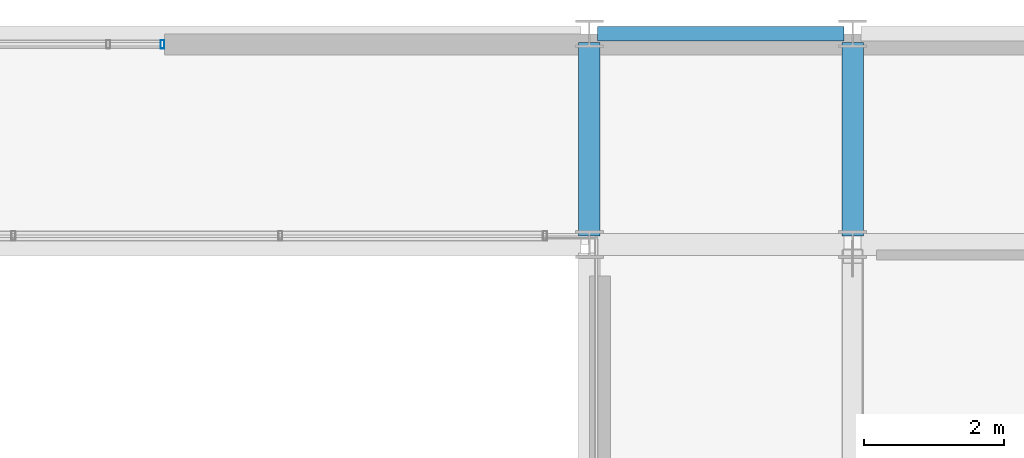
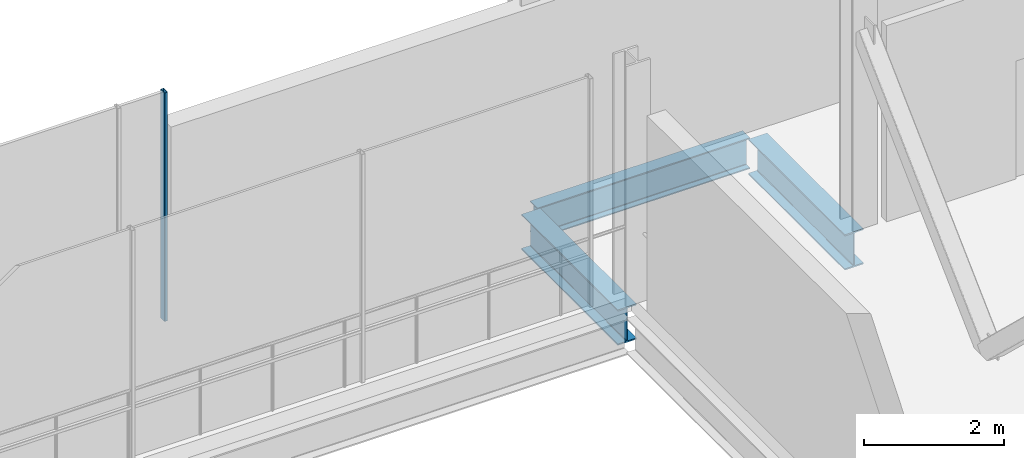
# One storey, part 20 of 33: 3 beams, 1 member, 1 element without a shape of its own.
"""IFC4 building model written with IfcOpenShell, lengths in metres."""

from ifc_helpers import new_model, si_unit, direction, frame, origin, origin_2d, place, context, subcontext, project, spatial, hollow_rectangle, i_section, extrude, material, layer, layer_set, material_profile, profile_set, type_object, element, aggregate, save


model = new_model("IFC4")

# Units and contexts
model_context = context("Model", 3, precision=1e-05, world=origin(), true_north=direction((0.0, 1.0)))
body_context = subcontext(model_context, "Body", "Model", "MODEL_VIEW")
ifc_project = project(units=[si_unit("LENGTHUNIT", "METRE"), si_unit("AREAUNIT", "SQUARE_METRE"), si_unit("VOLUMEUNIT", "CUBIC_METRE"), si_unit("PLANEANGLEUNIT", "RADIAN"), si_unit("MASSUNIT", "GRAM", prefix="KILO")], contexts=[model_context])

# Site, building, storey
site_placement = place(None, origin())
site = spatial("IfcSite", under=ifc_project, at=site_placement, CompositionType="ELEMENT")
building_placement = place(site_placement, origin())
building = spatial("IfcBuilding", under=site, at=building_placement, Name="Brevholm Reach", CompositionType="ELEMENT")
storey_placement = place(building_placement, frame((0.0, 0.0, 179.0)))
storey = spatial("IfcBuildingStorey", under=building, at=storey_placement, Name="L54", CompositionType="ELEMENT", Elevation=179.0)

# Beams
ifc_material_1 = material(Name="Structural Steel S355J2", Category="steel")
ifc_material_profile_1 = material_profile(ifc_material_1, i_section(OverallWidth=0.210693359375, OverallDepth=0.53955078125, WebThickness=0.01171875, FlangeThickness=0.018798828125, FilletRadius=0.0126953125, at=origin_2d()), Name="UKB 533x210x109")
ifc_profile_set_1 = profile_set([ifc_material_profile_1], Name="Structural Steel S355J2")
beam_type_1 = type_object("IfcBeamType", Name="BM-SP539", PredefinedType="SPANDREL", material=ifc_profile_set_1)
beam_placement = place(storey_placement, frame((38.3701171875, 26.5, -0.52978515625), z_axis=(1.0, 0.0, 0.0), x_axis=(0.0, 1.0, 0.0)))
element("IfcBeam", 1, at=beam_placement, inside=storey, type_object=beam_type_1, Name="L54 SP-01B Framing Beam", PredefinedType="SPANDREL", context=body_context, shape_type="SweptSolid", body=[
    extrude(i_section(OverallWidth=0.210693359375, OverallDepth=0.53955078125, WebThickness=0.01171875, FlangeThickness=0.018798828125, FilletRadius=0.0126953125, at=origin_2d()), origin(), (0.0, 0.0, 1.0), 3.509765625),
])
ifc_material_2 = material(Name="Structural Steel S355J2", Category="steel")
ifc_material_profile_2 = material_profile(ifc_material_2, i_section(OverallWidth=0.30712890625, OverallDepth=0.6201171875, WebThickness=0.01416015625, FlangeThickness=0.023681640625, FilletRadius=0.0166015625, at=origin_2d()), Name="UKB 610x305x179")
ifc_profile_set_2 = profile_set([ifc_material_profile_2], Name="Structural Steel S355J2")
beam_type_2 = type_object("IfcBeamType", Name="BM-UKB610H", PredefinedType="USERDEFINED", material=ifc_profile_set_2)
for number, where, z_axis, x_axis, name in (
    (2, (38.25, 23.6201171875, -0.570068359375), (0.0, 1.0, 0.0), (-1.0, 0.0, 0.0), "L54 G-06 Framing Beam"),
    (3, (42.0, 23.6201171875, -0.570068359375), (0.0, 1.0, 0.0), (-1.0, 0.0, 0.0), "L54 G-06 Framing Beam"),
):
    element("IfcBeam", number, at=place(storey_placement, frame(where, z_axis=z_axis, x_axis=x_axis)), inside=storey, type_object=beam_type_2, Name=name, ObjectType="GIRDER", PredefinedType="USERDEFINED", context=body_context, shape_type="SweptSolid", body=[
        extrude(i_section(OverallWidth=0.30712890625, OverallDepth=0.6201171875, WebThickness=0.01416015625, FlangeThickness=0.023681640625, FilletRadius=0.0166015625, at=origin_2d()), origin(), (0.0, 0.0, 1.0), 2.759765625),
    ])

# Curtain wall, member
ifc_material_3 = material(Name="Dark Anodised Aluminium 6063-T6 and Solar-Control Glass", Category="aluminium")
ifc_layer = layer(ifc_material_3, 0.1201171875)
ifc_layer_set = layer_set([ifc_layer], Name="Dark Anodised Aluminium 6063-T6 and Solar-Control Glass")
curtain_wall_type = type_object("IfcCurtainWallType", Name="CW-06", PredefinedType="NOTDEFINED", material=ifc_layer_set)
curtain_wall_placement = place(storey_placement, origin())
curtain_wall = element("IfcCurtainWall", 4, at=curtain_wall_placement, inside=storey, type_object=curtain_wall_type, Name="L54 Curtain Wall CW-06", PredefinedType="NOTDEFINED")
ifc_material_4 = material(Name="Dark Anodised Aluminium 6063-T6", Category="aluminium")
ifc_material_profile_3 = material_profile(ifc_material_4, hollow_rectangle(XDim=0.054931640625, YDim=0.1201171875, WallThickness=0.00390625, InnerFilletRadius=0.00390625, OuterFilletRadius=0.008056640625, at=origin_2d()), Name="RHS 120x55x4")
ifc_profile_set_3 = profile_set([ifc_material_profile_3], Name="Dark Anodised Aluminium 6063-T6")
member_type = type_object("IfcMemberType", Name="CWM-120", PredefinedType="MULLION", material=ifc_profile_set_3)
member_placement = place(storey_placement, frame((32.172607421875, 26.35009765625, 0.0), z_axis=(0.0, 0.0, 1.0), x_axis=(1.0, 0.0, 0.0)))
member = element("IfcMember", 5, at=member_placement, type_object=member_type, Name="CM-120 Mullion 3", PredefinedType="MULLION", context=body_context, shape_type="SweptSolid", body=[
    extrude(hollow_rectangle(XDim=0.054931640625, YDim=0.1201171875, WallThickness=0.00390625, InnerFilletRadius=0.00390625, OuterFilletRadius=0.008056640625, at=origin_2d()), origin(), (0.0, 0.0, 1.0), 3.989990234375),
])
aggregate(curtain_wall, [member])

save(model, "model.ifc")
